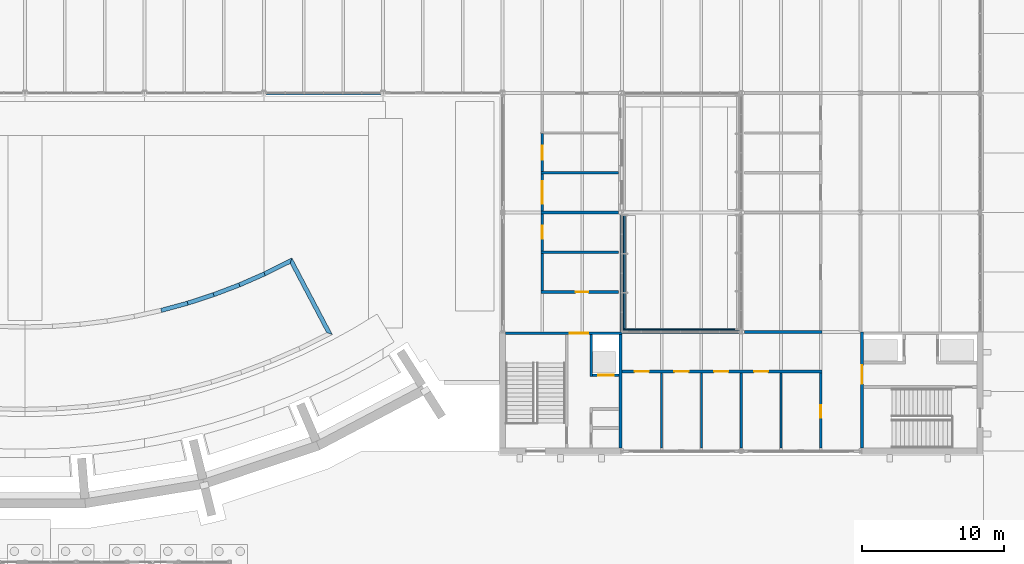
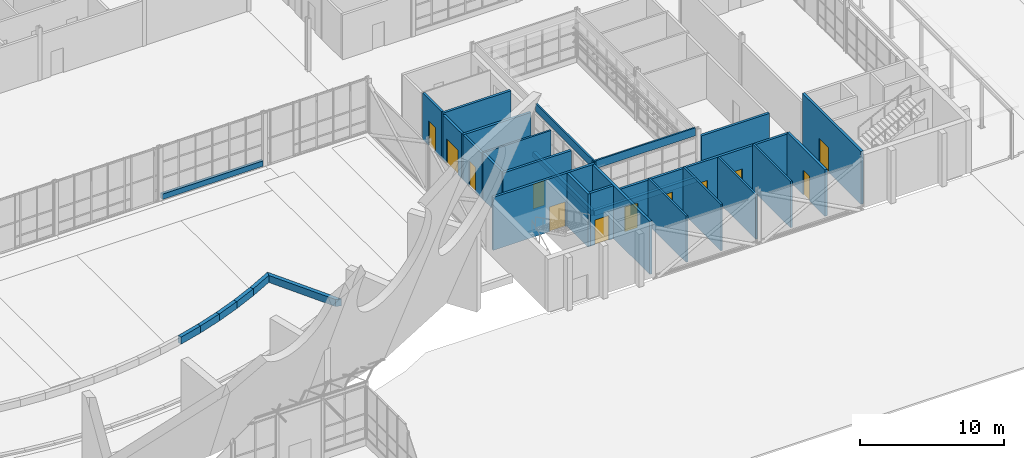
# One storey, part 88 of 116: 31 walls, 12 doors, 12 openings.
"""IFC4 building model written with IfcOpenShell, lengths in metres."""

from ifc_helpers import new_model, si_unit, direction, frame, frame_2d, origin, place, context, subcontext, project, spatial, polyline, rectangle, outline, extrude, material, layer, layer_set, type_object, element, fill, save


model = new_model("IFC4")

# Units and contexts
model_context = context("Model", 3, precision=1e-05, world=origin(), true_north=direction((0.0, 1.0)))
body_context = subcontext(model_context, "Body", "Model", "MODEL_VIEW")
ifc_project = project(units=[si_unit("LENGTHUNIT", "METRE"), si_unit("AREAUNIT", "SQUARE_METRE"), si_unit("VOLUMEUNIT", "CUBIC_METRE"), si_unit("PLANEANGLEUNIT", "RADIAN"), si_unit("MASSUNIT", "GRAM", prefix="KILO")], contexts=[model_context])

# Site, building, storey
site_placement = place(None, origin())
site = spatial("IfcSite", under=ifc_project, at=site_placement, CompositionType="ELEMENT")
building_placement = place(site_placement, origin())
building = spatial("IfcBuilding", under=site, at=building_placement, Name="Ardhachandra Cancer Care Centre", CompositionType="ELEMENT")
storey_placement = place(building_placement, origin())
storey = spatial("IfcBuildingStorey", under=building, at=storey_placement, Name="L00", CompositionType="ELEMENT", Elevation=0.0)

# Walls
ifc_material_1 = material(Name="Precast Concrete M30 fascia panel with granite bands", Category="masonry")
ifc_layer_1 = layer(ifc_material_1, 0.1298828125)
ifc_layer_set_1 = layer_set([ifc_layer_1], Name="Precast Concrete M30 fascia panel with granite bands")
wall_type_1 = type_object("IfcWallType", Name="Banded edge beam fascia 130", PredefinedType="SOLIDWALL", material=ifc_layer_set_1)
for number, where, z_axis, x_axis, name in (
    (1, (120.159912109375, 37.800048828125, 3.820068359375), (0.0, 0.0, 1.0), (0.0, 1.0, 0.0), "E/fascia/L00/e/0120000_0037800"),
    (2, (120.0, 37.9599609375, 3.820068359375), (0.0, 0.0, 1.0), (1.0, 0.0, 0.0), "E/fascia/L00/n/0120000_0037800"),
):
    element("IfcWall", number, at=place(storey_placement, frame(where, z_axis=z_axis, x_axis=x_axis)), inside=storey, type_object=wall_type_1, Name=name, PredefinedType="SOLIDWALL", context=body_context, shape_type="SweptSolid", body=[
        extrude(rectangle(XDim=8.25, YDim=0.1298828125, at=frame_2d((4.125, 0.0))), origin(), (0.0, 0.0, 1.0), 0.679931640625),
    ])

# Wall, openings, doors
ifc_material_2 = material(Name="Gypsum board corridor partition on steel studs", Category="steel")
ifc_layer_2 = layer(ifc_material_2, 0.199951171875)
ifc_layer_set_2 = layer_set([ifc_layer_2], Name="Gypsum board corridor partition on steel studs")
wall_type_2 = type_object("IfcWallType", Name="CORRIDOR WALL 200", PredefinedType="PARTITIONING", material=ifc_layer_set_2)
wall_1_placement = place(storey_placement, frame((120.0, 35.0, 0.0), z_axis=(0.0, 0.0, 1.0), x_axis=(1.0, 0.0, 0.0)))
wall_1 = element("IfcWall", 3, at=wall_1_placement, inside=storey, type_object=wall_type_2, Name="R/wall/L00/h0035000_0120000", PredefinedType="PARTITIONING", context=body_context, shape_type="SweptSolid", body=[
    extrude(rectangle(XDim=14.10009765625, YDim=0.199951171875, at=frame_2d((7.050048828125, 0.0))), origin(), (0.0, 0.0, 1.0), 3.800048828125),
])
opening_1_placement = place(wall_1_placement, frame((0.89990234375, 0.0, 0.0)))
opening_1 = element("IfcOpeningElement", 4, at=opening_1_placement, cuts=wall_1, Name="Opening L00-0008", PredefinedType="OPENING", context=body_context, shape_type="SweptSolid", body=[
    extrude(rectangle(XDim=1.0, YDim=2.10009765625, at=frame_2d((0.5, 1.050048828125))), frame((0.0, 0.10986328125, 0.0), z_axis=(0.0, -1.0, 0.0), x_axis=(1.0, 0.0, 0.0)), (0.0, 0.0, 1.0), 0.219970703125),
])
opening_2_placement = place(wall_1_placement, frame((3.699951171875, 0.0, 0.0)))
opening_2 = element("IfcOpeningElement", 5, at=opening_2_placement, cuts=wall_1, Name="Opening L00-0009", PredefinedType="OPENING", context=body_context, shape_type="SweptSolid", body=[
    extrude(rectangle(XDim=1.0, YDim=2.10009765625, at=frame_2d((0.5, 1.050048828125))), frame((0.0, 0.10986328125, 0.0), z_axis=(0.0, -1.0, 0.0), x_axis=(1.0, 0.0, 0.0)), (0.0, 0.0, 1.0), 0.219970703125),
])
opening_3_placement = place(wall_1_placement, frame((6.5, 0.0, 0.0)))
opening_3 = element("IfcOpeningElement", 6, at=opening_3_placement, cuts=wall_1, Name="Opening L00-0010", PredefinedType="OPENING", context=body_context, shape_type="SweptSolid", body=[
    extrude(rectangle(XDim=1.0, YDim=2.10009765625, at=frame_2d((0.5, 1.050048828125))), frame((0.0, 0.10986328125, 0.0), z_axis=(0.0, -1.0, 0.0), x_axis=(1.0, 0.0, 0.0)), (0.0, 0.0, 1.0), 0.219970703125),
])
opening_4_placement = place(wall_1_placement, frame((9.300048828125, 0.0, 0.0)))
opening_4 = element("IfcOpeningElement", 7, at=opening_4_placement, cuts=wall_1, Name="Opening L00-0011", PredefinedType="OPENING", context=body_context, shape_type="SweptSolid", body=[
    extrude(rectangle(XDim=1.0, YDim=2.10009765625, at=frame_2d((0.5, 1.050048828125))), frame((0.0, 0.10986328125, 0.0), z_axis=(0.0, -1.0, 0.0), x_axis=(1.0, 0.0, 0.0)), (0.0, 0.0, 1.0), 0.219970703125),
])
ifc_material_3 = material(Name="Timber fire door with smoke seals", Category="wood")
door_type_1 = type_object("IfcDoorType", Name="FIRE DOOR SINGLE 1000x2100 FD30S", OperationType="NOTDEFINED", PredefinedType="DOOR", material=ifc_material_3)
door_1_placement = place(opening_1_placement, origin())
door_1 = element("IfcDoor", 8, at=door_1_placement, inside=storey, type_object=door_type_1, Name="Door L00-0008", OperationType="SINGLE_SWING_LEFT", OverallHeight=2.10009765625, OverallWidth=1.0, PredefinedType="DOOR", context=body_context, shape_type="SweptSolid", body=[
    extrude(rectangle(XDim=1.0, YDim=2.10009765625, at=frame_2d((0.5, 1.050048828125))), frame((0.0, 0.02490234375, 0.0), z_axis=(0.0, -1.0, 0.0), x_axis=(1.0, 0.0, 0.0)), (0.0, 0.0, 1.0), 0.050048828125),
])
fill(opening_1, door_1)
door_2_placement = place(opening_2_placement, origin())
door_2 = element("IfcDoor", 9, at=door_2_placement, inside=storey, type_object=door_type_1, Name="Door L00-0009", OperationType="SINGLE_SWING_LEFT", OverallHeight=2.10009765625, OverallWidth=1.0, PredefinedType="DOOR", context=body_context, shape_type="SweptSolid", body=[
    extrude(rectangle(XDim=1.0, YDim=2.10009765625, at=frame_2d((0.5, 1.050048828125))), frame((0.0, 0.02490234375, 0.0), z_axis=(0.0, -1.0, 0.0), x_axis=(1.0, 0.0, 0.0)), (0.0, 0.0, 1.0), 0.050048828125),
])
fill(opening_2, door_2)
door_3_placement = place(opening_3_placement, origin())
door_3 = element("IfcDoor", 10, at=door_3_placement, inside=storey, type_object=door_type_1, Name="Door L00-0010", OperationType="SINGLE_SWING_LEFT", OverallHeight=2.10009765625, OverallWidth=1.0, PredefinedType="DOOR", context=body_context, shape_type="SweptSolid", body=[
    extrude(rectangle(XDim=1.0, YDim=2.10009765625, at=frame_2d((0.5, 1.050048828125))), frame((0.0, 0.02490234375, 0.0), z_axis=(0.0, -1.0, 0.0), x_axis=(1.0, 0.0, 0.0)), (0.0, 0.0, 1.0), 0.050048828125),
])
fill(opening_3, door_3)
door_4_placement = place(opening_4_placement, origin())
door_4 = element("IfcDoor", 11, at=door_4_placement, inside=storey, type_object=door_type_1, Name="Door L00-0011", OperationType="SINGLE_SWING_RIGHT", OverallHeight=2.10009765625, OverallWidth=1.0, PredefinedType="DOOR", context=body_context, shape_type="SweptSolid", body=[
    extrude(rectangle(XDim=1.0, YDim=2.10009765625, at=frame_2d((0.5, 1.050048828125))), frame((0.0, 0.02490234375, 0.0), z_axis=(0.0, -1.0, 0.0), x_axis=(1.0, 0.0, 0.0)), (0.0, 0.0, 1.0), 0.050048828125),
])
fill(opening_4, door_4)

# Wall
wall_2_placement = place(storey_placement, frame((128.625, 37.800048828125, 0.0), z_axis=(0.0, 0.0, 1.0), x_axis=(1.0, 0.0, 0.0)))
element("IfcWall", 12, at=wall_2_placement, inside=storey, type_object=wall_type_2, Name="R/wall/L00/h0037800_0128625", PredefinedType="PARTITIONING", context=body_context, shape_type="SweptSolid", body=[
    extrude(rectangle(XDim=5.47509765625, YDim=0.199951171875, at=frame_2d((2.737548828125, 0.0))), origin(), (0.0, 0.0, 1.0), 3.800048828125),
])

# Wall, opening, door
wall_3_placement = place(storey_placement, frame((114.300048828125, 40.60009765625, 0.0), z_axis=(0.0, 0.0, 1.0), x_axis=(1.0, 0.0, 0.0)))
wall_3 = element("IfcWall", 13, at=wall_3_placement, inside=storey, type_object=wall_type_2, Name="R/wall/L00/h0040600_0114300", PredefinedType="PARTITIONING", context=body_context, shape_type="SweptSolid", body=[
    extrude(rectangle(XDim=5.474853515625, YDim=0.199951171875, at=frame_2d((2.7373046875, 0.0))), origin(), (0.0, 0.0, 1.0), 3.949951171875),
])
opening_5_placement = place(wall_3_placement, frame((2.449951171875, 0.0, 0.0)))
opening_5 = element("IfcOpeningElement", 14, at=opening_5_placement, cuts=wall_3, Name="Opening L00-0012", PredefinedType="OPENING", context=body_context, shape_type="SweptSolid", body=[
    extrude(rectangle(XDim=0.89990234375, YDim=2.10009765625, at=frame_2d((0.449951171875, 1.050048828125))), frame((0.0, 0.10986328125, 0.0), z_axis=(0.0, -1.0, 0.0), x_axis=(1.0, 0.0, 0.0)), (0.0, 0.0, 1.0), 0.219970703125),
])
ifc_material_4 = material(Name="Timber fire door with smoke seals", Category="wood")
door_type_2 = type_object("IfcDoorType", Name="FIRE DOOR WC 900x2100 FD30S", OperationType="NOTDEFINED", PredefinedType="DOOR", material=ifc_material_4)
door_5_placement = place(opening_5_placement, origin())
door_5 = element("IfcDoor", 15, at=door_5_placement, inside=storey, type_object=door_type_2, Name="Door L00-0012", OperationType="SINGLE_SWING_RIGHT", OverallHeight=2.10009765625, OverallWidth=0.89990234375, PredefinedType="DOOR", context=body_context, shape_type="SweptSolid", body=[
    extrude(rectangle(XDim=0.89990234375, YDim=2.10009765625, at=frame_2d((0.449951171875, 1.050048828125))), frame((0.0, 0.02490234375, 0.0), z_axis=(0.0, -1.0, 0.0), x_axis=(1.0, 0.0, 0.0)), (0.0, 0.0, 1.0), 0.050048828125),
])
fill(opening_5, door_5)

# Wall
wall_4_placement = place(storey_placement, frame((114.39990234375, 40.699951171875, 0.0), z_axis=(0.0, 0.0, 1.0), x_axis=(0.0, 1.0, 0.0)))
element("IfcWall", 16, at=wall_4_placement, inside=storey, type_object=wall_type_2, Name="R/wall/L00/v0114400_0040700", PredefinedType="PARTITIONING", context=body_context, shape_type="SweptSolid", body=[
    extrude(rectangle(XDim=2.625, YDim=0.199951171875, at=frame_2d((1.3125, 0.0))), origin(), (0.0, 0.0, 1.0), 3.949951171875),
])

# Wall, opening, door
wall_5_placement = place(storey_placement, frame((114.39990234375, 43.47509765625, 0.0), z_axis=(0.0, 0.0, 1.0), x_axis=(0.0, 1.0, 0.0)))
wall_5 = element("IfcWall", 17, at=wall_5_placement, inside=storey, type_object=wall_type_2, Name="R/wall/L00/v0114400_0043475", PredefinedType="PARTITIONING", context=body_context, shape_type="SweptSolid", body=[
    extrude(rectangle(XDim=2.625, YDim=0.199951171875, at=frame_2d((1.3125, 0.0))), origin(), (0.0, 0.0, 1.0), 3.800048828125),
])
opening_6_placement = place(wall_5_placement, frame((0.875, 0.0, 0.0)))
opening_6 = element("IfcOpeningElement", 18, at=opening_6_placement, cuts=wall_5, Name="Opening L00-0074", PredefinedType="OPENING", context=body_context, shape_type="SweptSolid", body=[
    extrude(rectangle(XDim=0.89990234375, YDim=2.10009765625, at=frame_2d((0.449951171875, 1.050048828125))), frame((0.0, 0.10986328125, 0.0), z_axis=(0.0, -1.0, 0.0), x_axis=(1.0, 0.0, 0.0)), (0.0, 0.0, 1.0), 0.219970703125),
])
door_6_placement = place(opening_6_placement, origin())
door_6 = element("IfcDoor", 19, at=door_6_placement, inside=storey, type_object=door_type_2, Name="Door L00-0074", OperationType="SINGLE_SWING_LEFT", OverallHeight=2.10009765625, OverallWidth=0.89990234375, PredefinedType="DOOR", context=body_context, shape_type="SweptSolid", body=[
    extrude(rectangle(XDim=0.89990234375, YDim=2.10009765625, at=frame_2d((0.449951171875, 1.050048828125))), frame((0.0, 0.02490234375, 0.0), z_axis=(0.0, -1.0, 0.0), x_axis=(1.0, 0.0, 0.0)), (0.0, 0.0, 1.0), 0.050048828125),
])
fill(opening_6, door_6)

wall_6_placement = place(storey_placement, frame((114.39990234375, 49.10009765625, 0.0), z_axis=(0.0, 0.0, 1.0), x_axis=(0.0, 1.0, 0.0)))
wall_6 = element("IfcWall", 20, at=wall_6_placement, inside=storey, type_object=wall_type_2, Name="R/wall/L00/v0114400_0049100", PredefinedType="PARTITIONING", context=body_context, shape_type="SweptSolid", body=[
    extrude(rectangle(XDim=2.64990234375, YDim=0.199951171875, at=frame_2d((1.324951171875, 0.0))), origin(), (0.0, 0.0, 1.0), 3.949951171875),
])
opening_7_placement = place(wall_6_placement, frame((0.800048828125, 0.0, 0.0)))
opening_7 = element("IfcOpeningElement", 21, at=opening_7_placement, cuts=wall_6, Name="Opening L00-0076", PredefinedType="OPENING", context=body_context, shape_type="SweptSolid", body=[
    extrude(rectangle(XDim=1.0, YDim=2.10009765625, at=frame_2d((0.5, 1.050048828125))), frame((0.0, 0.10986328125, 0.0), z_axis=(0.0, -1.0, 0.0), x_axis=(1.0, 0.0, 0.0)), (0.0, 0.0, 1.0), 0.219970703125),
])
door_7_placement = place(opening_7_placement, origin())
door_7 = element("IfcDoor", 22, at=door_7_placement, inside=storey, type_object=door_type_1, Name="Door L00-0076", OperationType="SINGLE_SWING_LEFT", OverallHeight=2.10009765625, OverallWidth=1.0, PredefinedType="DOOR", context=body_context, shape_type="SweptSolid", body=[
    extrude(rectangle(XDim=1.0, YDim=2.10009765625, at=frame_2d((0.5, 1.050048828125))), frame((0.0, 0.02490234375, 0.0), z_axis=(0.0, -1.0, 0.0), x_axis=(1.0, 0.0, 0.0)), (0.0, 0.0, 1.0), 0.050048828125),
])
fill(opening_7, door_7)

wall_7_placement = place(storey_placement, frame((134.0, 29.625, 0.0), z_axis=(0.0, 0.0, 1.0), x_axis=(0.0, 1.0, 0.0)))
wall_7 = element("IfcWall", 23, at=wall_7_placement, inside=storey, type_object=wall_type_2, Name="R/wall/L00/v0134000_0029625", PredefinedType="PARTITIONING", context=body_context, shape_type="SweptSolid", body=[
    extrude(rectangle(XDim=5.27490234375, YDim=0.199951171875, at=frame_2d((2.637451171875, 0.0))), origin(), (0.0, 0.0, 1.0), 3.949951171875),
])
opening_8_placement = place(wall_7_placement, frame((2.125, 0.0, 0.0)))
opening_8 = element("IfcOpeningElement", 24, at=opening_8_placement, cuts=wall_7, Name="Opening L00-0083", PredefinedType="OPENING", context=body_context, shape_type="SweptSolid", body=[
    extrude(rectangle(XDim=0.89990234375, YDim=2.10009765625, at=frame_2d((0.449951171875, 1.050048828125))), frame((0.0, 0.10986328125, 0.0), z_axis=(0.0, -1.0, 0.0), x_axis=(1.0, 0.0, 0.0)), (0.0, 0.0, 1.0), 0.219970703125),
])
door_8_placement = place(opening_8_placement, origin())
door_8 = element("IfcDoor", 25, at=door_8_placement, inside=storey, type_object=door_type_2, Name="Door L00-0083", OperationType="SINGLE_SWING_LEFT", OverallHeight=2.10009765625, OverallWidth=0.89990234375, PredefinedType="DOOR", context=body_context, shape_type="SweptSolid", body=[
    extrude(rectangle(XDim=0.89990234375, YDim=2.10009765625, at=frame_2d((0.449951171875, 1.050048828125))), frame((0.0, 0.02490234375, 0.0), z_axis=(0.0, -1.0, 0.0), x_axis=(1.0, 0.0, 0.0)), (0.0, 0.0, 1.0), 0.050048828125),
])
fill(opening_8, door_8)

ifc_material_5 = material(Name="Concrete M40", Category="concrete")
ifc_layer_3 = layer(ifc_material_5, 0.199951171875)
ifc_layer_set_3 = layer_set([ifc_layer_3], Name="Concrete M40")
wall_type_3 = type_object("IfcWallType", Name="Core wall RC 200", PredefinedType="SOLIDWALL", material=ifc_layer_set_3)
wall_8_placement = place(storey_placement, frame((136.89990234375, 29.625, 0.0), z_axis=(0.0, 0.0, 1.0), x_axis=(0.0, 1.0, 0.0)))
wall_8 = element("IfcWall", 26, at=wall_8_placement, inside=storey, type_object=wall_type_3, Name="Core wall K9 ENT", PredefinedType="SOLIDWALL", context=body_context, shape_type="SweptSolid", body=[
    extrude(rectangle(XDim=8.175048828125, YDim=0.199951171875, at=frame_2d((4.08740234375, 0.0))), origin(), (0.0, 0.0, 1.0), 4.5),
])
opening_9_placement = place(wall_8_placement, frame((4.512451171875, 0.0, 0.0)))
opening_9 = element("IfcOpeningElement", 27, at=opening_9_placement, cuts=wall_8, Name="Opening L00-K09-1", PredefinedType="OPENING", context=body_context, shape_type="SweptSolid", body=[
    extrude(rectangle(XDim=1.300048828125, YDim=2.10009765625, at=frame_2d((0.64990234375, 1.050048828125))), frame((0.0, 0.10986328125, 0.0), z_axis=(0.0, -1.0, 0.0), x_axis=(1.0, 0.0, 0.0)), (0.0, 0.0, 1.0), 0.219970703125),
])
ifc_material_6 = material(Name="Steel door set", Category="steel")
door_type_3 = type_object("IfcDoorType", Name="Core entry double door 1300x2100 FD60", OperationType="DOUBLE_DOOR_DOUBLE_SWING", PredefinedType="DOOR", material=ifc_material_6)
door_9_placement = place(opening_9_placement, origin())
door_9 = element("IfcDoor", 28, at=door_9_placement, inside=storey, type_object=door_type_3, Name="Core entry door", OperationType="DOUBLE_DOOR_DOUBLE_SWING", OverallHeight=2.10009765625, OverallWidth=1.300048828125, PredefinedType="DOOR", context=body_context, shape_type="SweptSolid", body=[
    extrude(rectangle(XDim=1.300048828125, YDim=2.10009765625, at=frame_2d((0.64990234375, 1.050048828125))), frame((0.0, 0.02490234375, 0.0), z_axis=(0.0, -1.0, 0.0), x_axis=(1.0, 0.0, 0.0)), (0.0, 0.0, 1.0), 0.050048828125),
])
fill(opening_9, door_9)

wall_9_placement = place(storey_placement, frame((111.824951171875, 37.699951171875, 0.0), z_axis=(0.0, 0.0, 1.0), x_axis=(1.0, 0.0, 0.0)))
wall_9 = element("IfcWall", 29, at=wall_9_placement, inside=storey, type_object=wall_type_3, Name="Core wall K11 ENT", PredefinedType="SOLIDWALL", context=body_context, shape_type="SweptSolid", body=[
    extrude(rectangle(XDim=8.175048828125, YDim=0.199951171875, at=frame_2d((4.08740234375, 0.0))), origin(), (0.0, 0.0, 1.0), 4.5),
])
opening_10_placement = place(wall_9_placement, frame((4.512451171875, 0.0, 0.0)))
opening_10 = element("IfcOpeningElement", 30, at=opening_10_placement, cuts=wall_9, Name="Opening L00-K11-1", PredefinedType="OPENING", context=body_context, shape_type="SweptSolid", body=[
    extrude(rectangle(XDim=1.300048828125, YDim=2.10009765625, at=frame_2d((0.64990234375, 1.050048828125))), frame((0.0, 0.10986328125, 0.0), z_axis=(0.0, -1.0, 0.0), x_axis=(1.0, 0.0, 0.0)), (0.0, 0.0, 1.0), 0.219970703125),
])
door_10_placement = place(opening_10_placement, origin())
door_10 = element("IfcDoor", 31, at=door_10_placement, inside=storey, type_object=door_type_3, Name="Core entry door", OperationType="DOUBLE_DOOR_DOUBLE_SWING", OverallHeight=2.10009765625, OverallWidth=1.300048828125, PredefinedType="DOOR", context=body_context, shape_type="SweptSolid", body=[
    extrude(rectangle(XDim=1.300048828125, YDim=2.10009765625, at=frame_2d((0.64990234375, 1.050048828125))), frame((0.0, 0.02490234375, 0.0), z_axis=(0.0, -1.0, 0.0), x_axis=(1.0, 0.0, 0.0)), (0.0, 0.0, 1.0), 0.050048828125),
])
fill(opening_10, door_10)

# Walls
wall_10_placement = place(storey_placement, frame((119.89990234375, 37.60009765625, 0.0), z_axis=(0.0, 0.0, 1.0), x_axis=(0.0, -1.0, 0.0)))
element("IfcWall", 32, at=wall_10_placement, inside=storey, type_object=wall_type_3, Name="Core wall K11 UE", PredefinedType="SOLIDWALL", context=body_context, shape_type="SweptSolid", body=[
    extrude(rectangle(XDim=7.97509765625, YDim=0.199951171875, at=frame_2d((3.987548828125, 0.0))), origin(), (0.0, 0.0, 1.0), 4.5),
])
wall_11_placement = place(storey_placement, frame((117.85009765625, 37.60009765625, 0.0), z_axis=(0.0, 0.0, 1.0), x_axis=(0.0, -1.0, 0.0)))
element("IfcWall", 33, at=wall_11_placement, inside=storey, type_object=wall_type_3, Name="Core wall K11 P2A", PredefinedType="SOLIDWALL", context=body_context, shape_type="SweptSolid", body=[
    extrude(rectangle(XDim=2.9501953125, YDim=0.199951171875, at=frame_2d((1.47509765625, 0.0))), origin(), (0.0, 0.0, 1.0), 4.5),
])

# Wall, opening, door
wall_12_placement = place(storey_placement, frame((117.949951171875, 34.75, 0.0), z_axis=(0.0, 0.0, 1.0), x_axis=(1.0, 0.0, 0.0)))
wall_12 = element("IfcWall", 34, at=wall_12_placement, inside=storey, type_object=wall_type_3, Name="Core wall K11 W1", PredefinedType="SOLIDWALL", context=body_context, shape_type="SweptSolid", body=[
    extrude(rectangle(XDim=1.85009765625, YDim=0.199951171875, at=frame_2d((0.925048828125, 0.0))), origin(), (0.0, 0.0, 1.0), 4.5),
])
opening_11_placement = place(wall_12_placement, frame((0.375, 0.0, 0.0)))
opening_11 = element("IfcOpeningElement", 35, at=opening_11_placement, cuts=wall_12, Name="Opening L00-K11-3", PredefinedType="OPENING", context=body_context, shape_type="SweptSolid", body=[
    extrude(rectangle(XDim=1.10009765625, YDim=2.10009765625, at=frame_2d((0.550048828125, 1.050048828125))), frame((0.0, 0.10986328125, 0.0), z_axis=(0.0, -1.0, 0.0), x_axis=(1.0, 0.0, 0.0)), (0.0, 0.0, 1.0), 0.219970703125),
])
ifc_material_7 = material(Name="Stainless steel (grade 304)", Category="steel")
door_type_4 = type_object("IfcDoorType", Name="Lift landing door 1100x2100", OperationType="DOUBLE_DOOR_SLIDING", PredefinedType="DOOR", material=ifc_material_7)
door_11_placement = place(opening_11_placement, origin())
door_11 = element("IfcDoor", 36, at=door_11_placement, inside=storey, type_object=door_type_4, Name="Lift landing door LF-K11-1", OperationType="DOUBLE_DOOR_SLIDING", OverallHeight=2.10009765625, OverallWidth=1.10009765625, PredefinedType="DOOR", context=body_context, shape_type="SweptSolid", body=[
    extrude(rectangle(XDim=1.10009765625, YDim=2.10009765625, at=frame_2d((0.550048828125, 1.050048828125))), frame((0.0, 0.02490234375, 0.0), z_axis=(0.0, -1.0, 0.0), x_axis=(1.0, 0.0, 0.0)), (0.0, 0.0, 1.0), 0.050048828125),
])
fill(opening_11, door_11)

# Walls
ifc_material_8 = material(Name="Gypsum board partition on steel studs", Category="steel")
ifc_layer_4 = layer(ifc_material_8, 0.14990234375)
ifc_layer_set_4 = layer_set([ifc_layer_4], Name="Gypsum board partition on steel studs")
wall_type_4 = type_object("IfcWallType", Name="PARTITION 150", PredefinedType="PARTITIONING", material=ifc_layer_set_4)
for number, where, z_axis, x_axis, name in (
    (37, (122.800048828125, 29.625, 0.0), (0.0, 0.0, 1.0), (0.0, 1.0, 0.0), "R/wall/L00/v0122800_0029625"),
    (38, (125.60009765625, 29.625, 0.0), (0.0, 0.0, 1.0), (0.0, 1.0, 0.0), "R/wall/L00/v0125600_0029625"),
):
    element("IfcWall", number, at=place(storey_placement, frame(where, z_axis=z_axis, x_axis=x_axis)), inside=storey, type_object=wall_type_4, Name=name, PredefinedType="PARTITIONING", context=body_context, shape_type="SweptSolid", body=[
        extrude(rectangle(XDim=5.27490234375, YDim=0.14990234375, at=frame_2d((2.637451171875, 0.0))), origin(), (0.0, 0.0, 1.0), 3.949951171875),
    ])
wall_13_placement = place(storey_placement, frame((128.39990234375, 29.625, 0.0), z_axis=(0.0, 0.0, 1.0), x_axis=(0.0, 1.0, 0.0)))
element("IfcWall", 39, at=wall_13_placement, inside=storey, type_object=wall_type_4, Name="R/wall/L00/v0128400_0029625", PredefinedType="PARTITIONING", context=body_context, shape_type="SweptSolid", body=[
    extrude(rectangle(XDim=5.27490234375, YDim=0.14990234375, at=frame_2d((2.637451171875, 0.0))), origin(), (0.0, 0.0, 1.0), 3.800048828125),
])
ifc_material_9 = material(Name="Brick masonry", Category="masonry")
ifc_layer_5 = layer(ifc_material_9, 0.199951171875)
ifc_layer_set_5 = layer_set([ifc_layer_5], Name="Brick masonry")
wall_type_5 = type_object("IfcWallType", Name="PLANT ROOM WALL 200", PredefinedType="SOLIDWALL", material=ifc_layer_set_5)
wall_14_placement = place(storey_placement, frame((114.300048828125, 46.199951171875, 0.0), z_axis=(0.0, 0.0, 1.0), x_axis=(1.0, 0.0, 0.0)))
element("IfcWall", 40, at=wall_14_placement, inside=storey, type_object=wall_type_5, Name="R/wall/L00/h0046200_0114300", PredefinedType="SOLIDWALL", context=body_context, shape_type="SweptSolid", body=[
    extrude(rectangle(XDim=5.474853515625, YDim=0.199951171875, at=frame_2d((2.7373046875, 0.0))), origin(), (0.0, 0.0, 1.0), 3.800048828125),
])
wall_15_placement = place(storey_placement, frame((114.300048828125, 49.0, 0.0), z_axis=(0.0, 0.0, 1.0), x_axis=(1.0, 0.0, 0.0)))
element("IfcWall", 41, at=wall_15_placement, inside=storey, type_object=wall_type_5, Name="R/wall/L00/h0049000_0114300", PredefinedType="SOLIDWALL", context=body_context, shape_type="SweptSolid", body=[
    extrude(rectangle(XDim=5.474853515625, YDim=0.199951171875, at=frame_2d((2.7373046875, 0.0))), origin(), (0.0, 0.0, 1.0), 3.949951171875),
])

# Wall, opening, door
wall_16_placement = place(storey_placement, frame((114.39990234375, 46.300048828125, 0.0), z_axis=(0.0, 0.0, 1.0), x_axis=(0.0, 1.0, 0.0)))
wall_16 = element("IfcWall", 42, at=wall_16_placement, inside=storey, type_object=wall_type_5, Name="R/wall/L00/v0114400_0046300", PredefinedType="SOLIDWALL", context=body_context, shape_type="SweptSolid", body=[
    extrude(rectangle(XDim=2.599853515625, YDim=0.199951171875, at=frame_2d((1.2998046875, 0.0))), origin(), (0.0, 0.0, 1.0), 3.800048828125),
])
opening_12_placement = place(wall_16_placement, frame((0.5, 0.0, 0.0)))
opening_12 = element("IfcOpeningElement", 43, at=opening_12_placement, cuts=wall_16, Name="Opening L00-0075", PredefinedType="OPENING", context=body_context, shape_type="SweptSolid", body=[
    extrude(rectangle(XDim=1.60009765625, YDim=2.10009765625, at=frame_2d((0.800048828125, 1.050048828125))), frame((0.0, 0.10986328125, 0.0), z_axis=(0.0, -1.0, 0.0), x_axis=(1.0, 0.0, 0.0)), (0.0, 0.0, 1.0), 0.219970703125),
])
ifc_material_10 = material(Name="Steel fire door", Category="steel")
door_type_5 = type_object("IfcDoorType", Name="PLANT ROOM DOOR 1600x2100 FD60", OperationType="NOTDEFINED", PredefinedType="DOOR", material=ifc_material_10)
door_12_placement = place(opening_12_placement, origin())
door_12 = element("IfcDoor", 44, at=door_12_placement, inside=storey, type_object=door_type_5, Name="Door L00-0075", OperationType="DOUBLE_DOOR_SINGLE_SWING", OverallHeight=2.10009765625, OverallWidth=1.60009765625, PredefinedType="DOOR", context=body_context, shape_type="SweptSolid", body=[
    extrude(rectangle(XDim=1.60009765625, YDim=2.10009765625, at=frame_2d((0.800048828125, 1.050048828125))), frame((0.0, 0.02490234375, 0.0), z_axis=(0.0, -1.0, 0.0), x_axis=(1.0, 0.0, 0.0)), (0.0, 0.0, 1.0), 0.050048828125),
])
fill(opening_12, door_12)

# Walls
ifc_material_11 = material(Name="Granite", Category="masonry")
ifc_layer_6 = layer(ifc_material_11, 0.300048828125)
ifc_layer_set_6 = layer_set([ifc_layer_6], Name="Granite")
wall_type_6 = type_object("IfcWallType", Name="Pool kerb 300 granite", PredefinedType="SOLIDWALL", material=ifc_layer_set_6)
wall_17_placement = place(storey_placement, frame((0.0, 0.0, -0.449951171875)))
element("IfcWall", 45, at=wall_17_placement, inside=storey, type_object=wall_type_6, Name="Pool kerb 21", PredefinedType="SOLIDWALL", context=body_context, shape_type="SweptSolid", body=[
    extrude(outline(polyline([(99.223388671875, 37.74072265625), (96.658447265625, 42.606201171875), (96.787353515625, 43.005126953125), (99.632080078125, 37.608642578125), (99.223388671875, 37.74072265625)])), origin(), (0.0, 0.0, 1.0), 0.599853515625),
])
wall_18_placement = place(storey_placement, frame((0.0, 0.0, -0.449951171875)))
element("IfcWall", 46, at=wall_18_placement, inside=storey, type_object=wall_type_6, Name="Pool kerb 22", PredefinedType="SOLIDWALL", context=body_context, shape_type="SweptSolid", body=[
    extrude(outline(polyline([(96.658447265625, 42.606201171875), (94.920166015625, 41.742919921875), (94.793212890625, 42.014892578125), (96.787353515625, 43.005126953125), (96.658447265625, 42.606201171875)])), origin(), (0.0, 0.0, 1.0), 0.599853515625),
])
wall_19_placement = place(storey_placement, frame((0.0, 0.0, -0.449951171875)))
element("IfcWall", 47, at=wall_19_placement, inside=storey, type_object=wall_type_6, Name="Pool kerb 23", PredefinedType="SOLIDWALL", context=body_context, shape_type="SweptSolid", body=[
    extrude(outline(polyline([(94.920166015625, 41.742919921875), (93.141845703125, 40.965087890625), (93.0283203125, 41.24267578125), (94.793212890625, 42.014892578125), (94.920166015625, 41.742919921875)])), origin(), (0.0, 0.0, 1.0), 0.599853515625),
])
wall_20_placement = place(storey_placement, frame((0.0, 0.0, -0.449951171875)))
element("IfcWall", 48, at=wall_20_placement, inside=storey, type_object=wall_type_6, Name="Pool kerb 24", PredefinedType="SOLIDWALL", context=body_context, shape_type="SweptSolid", body=[
    extrude(outline(polyline([(93.141845703125, 40.965087890625), (91.328125, 40.274169921875), (91.22802734375, 40.55712890625), (93.0283203125, 41.24267578125), (93.141845703125, 40.965087890625)])), origin(), (0.0, 0.0, 1.0), 0.599853515625),
])
wall_21_placement = place(storey_placement, frame((0.0, 0.0, -0.449951171875)))
element("IfcWall", 49, at=wall_21_placement, inside=storey, type_object=wall_type_6, Name="Pool kerb 25", PredefinedType="SOLIDWALL", context=body_context, shape_type="SweptSolid", body=[
    extrude(outline(polyline([(91.328125, 40.274169921875), (89.48291015625, 39.67236328125), (89.396728515625, 39.959716796875), (91.22802734375, 40.55712890625), (91.328125, 40.274169921875)])), origin(), (0.0, 0.0, 1.0), 0.599853515625),
])
wall_22_placement = place(storey_placement, frame((0.0, 0.0, -0.449951171875)))
element("IfcWall", 50, at=wall_22_placement, inside=storey, type_object=wall_type_6, Name="Pool kerb 26", PredefinedType="SOLIDWALL", context=body_context, shape_type="SweptSolid", body=[
    extrude(outline(polyline([(89.48291015625, 39.67236328125), (87.610595703125, 39.16064453125), (87.53857421875, 39.451904296875), (89.396728515625, 39.959716796875), (89.48291015625, 39.67236328125)])), origin(), (0.0, 0.0, 1.0), 0.599853515625),
])
ifc_material_12 = material(Name="Granite facing on Concrete M30", Category="masonry")
ifc_layer_7 = layer(ifc_material_12, 0.25)
ifc_layer_set_7 = layer_set([ifc_layer_7], Name="Granite facing on Concrete M30")
wall_type_7 = type_object("IfcWallType", Name="Stone-faced plinth wall 250", PredefinedType="SOLIDWALL", material=ifc_layer_set_7)
for number, where, z_axis, x_axis, name in (
    (51, (120.0, 37.800048828125, 0.0), (0.0, 0.0, 1.0), (0.0, 1.0, 0.0), "E/plinth/L00/e/0120000_0037800"),
    (52, (120.0, 37.800048828125, 0.0), (0.0, 0.0, 1.0), (1.0, 0.0, 0.0), "E/plinth/L00/n/0120000_0037800"),
):
    element("IfcWall", number, at=place(storey_placement, frame(where, z_axis=z_axis, x_axis=x_axis)), inside=storey, type_object=wall_type_7, Name=name, PredefinedType="SOLIDWALL", context=body_context, shape_type="SweptSolid", body=[
        extrude(rectangle(XDim=8.25, YDim=0.25, at=frame_2d((4.125, 0.0))), origin(), (0.0, 0.0, 1.0), 0.449951171875),
    ])
wall_23_placement = place(storey_placement, frame((94.949951171875, 54.60009765625, 0.0), z_axis=(0.0, 0.0, 1.0), x_axis=(1.0, 0.0, 0.0)))
element("IfcWall", 53, at=wall_23_placement, inside=storey, type_object=wall_type_7, Name="E/plinth/L00/s/0094800_0054600", PredefinedType="SOLIDWALL", context=body_context, shape_type="SweptSolid", body=[
    extrude(rectangle(XDim=8.10009765625, YDim=0.25, at=frame_2d((4.050048828125, 0.0))), origin(), (0.0, 0.0, 1.0), 0.449951171875),
])
ifc_material_13 = material(Name="Tiled gypsum board partition on steel studs", Category="steel")
ifc_layer_8 = layer(ifc_material_13, 0.14990234375)
ifc_layer_set_8 = layer_set([ifc_layer_8], Name="Tiled gypsum board partition on steel studs")
wall_type_8 = type_object("IfcWallType", Name="WET ROOM PARTITION 150", PredefinedType="PARTITIONING", material=ifc_layer_set_8)
wall_24_placement = place(storey_placement, frame((114.300048828125, 43.39990234375, 0.0), z_axis=(0.0, 0.0, 1.0), x_axis=(1.0, 0.0, 0.0)))
element("IfcWall", 54, at=wall_24_placement, inside=storey, type_object=wall_type_8, Name="R/wall/L00/h0043400_0114300", PredefinedType="PARTITIONING", context=body_context, shape_type="SweptSolid", body=[
    extrude(rectangle(XDim=5.474853515625, YDim=0.14990234375, at=frame_2d((2.7373046875, 0.0))), origin(), (0.0, 0.0, 1.0), 3.949951171875),
])
wall_25_placement = place(storey_placement, frame((131.199951171875, 29.625, 0.0), z_axis=(0.0, 0.0, 1.0), x_axis=(0.0, 1.0, 0.0)))
element("IfcWall", 55, at=wall_25_placement, inside=storey, type_object=wall_type_8, Name="R/wall/L00/v0131200_0029625", PredefinedType="PARTITIONING", context=body_context, shape_type="SweptSolid", body=[
    extrude(rectangle(XDim=5.27490234375, YDim=0.14990234375, at=frame_2d((2.637451171875, 0.0))), origin(), (0.0, 0.0, 1.0), 3.949951171875),
])

save(model, "model.ifc")
